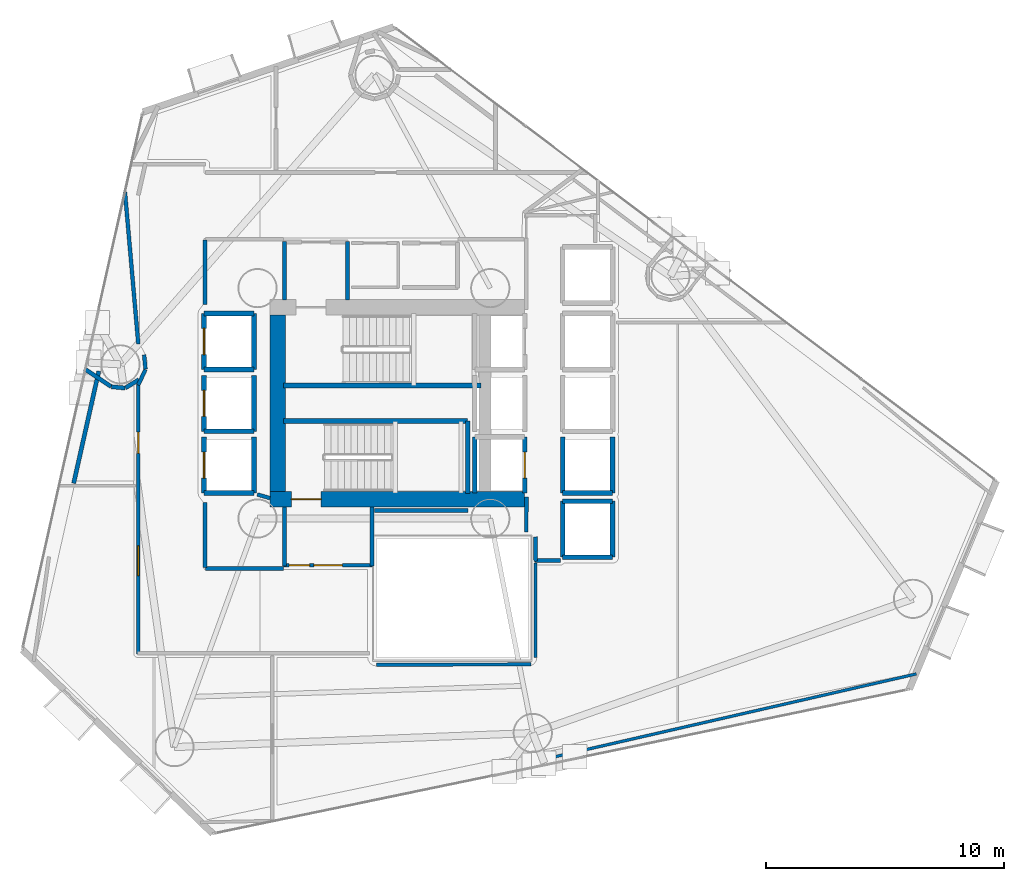
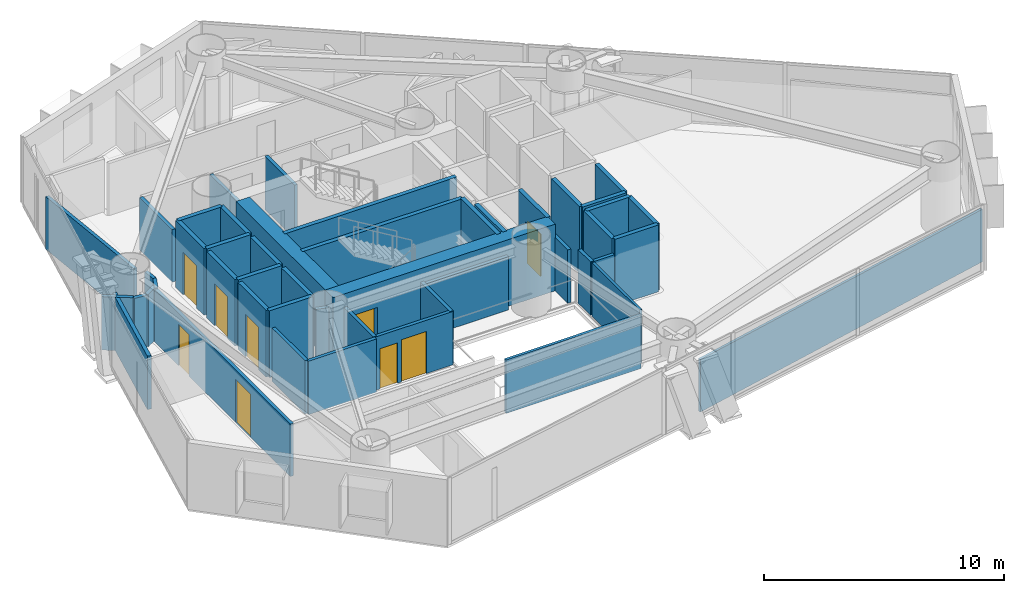
# One storey, part 16 of 22: 48 walls, 9 doors, 9 openings.
"""IFC4 building model written with IfcOpenShell, lengths in metres."""

from ifc_helpers import new_model, si_unit, direction, frame, frame_2d, origin, place, context, subcontext, project, spatial, rectangle, extrude, material, layer, layer_set, type_object, element, fill, save


model = new_model("IFC4")

# Units and contexts
model_context = context("Model", 3, precision=1e-05, world=origin(), true_north=direction((0.0, 1.0)))
body_context = subcontext(model_context, "Body", "Model", "MODEL_VIEW")
ifc_project = project(units=[si_unit("LENGTHUNIT", "METRE"), si_unit("AREAUNIT", "SQUARE_METRE"), si_unit("VOLUMEUNIT", "CUBIC_METRE"), si_unit("PLANEANGLEUNIT", "RADIAN"), si_unit("MASSUNIT", "GRAM", prefix="KILO")], contexts=[model_context])

# Site, building, storey
site_placement = place(None, origin())
site = spatial("IfcSite", under=ifc_project, at=site_placement, CompositionType="ELEMENT")
building_placement = place(site_placement, origin())
building = spatial("IfcBuilding", under=site, at=building_placement, Name="Qianvela Tower", CompositionType="ELEMENT")
storey_placement = place(building_placement, frame((0.0, 0.0, 89.5)))
storey = spatial("IfcBuildingStorey", under=building, at=storey_placement, Name="L22", CompositionType="ELEMENT", Elevation=89.5)

# Wall, opening, door
ifc_material_1 = material(Name="Concrete C60", Category="concrete")
ifc_layer_1 = layer(ifc_material_1, 0.64990234375)
ifc_layer_set_1 = layer_set([ifc_layer_1], Name="Concrete C60")
wall_type_1 = type_object("IfcWallType", Name="WT-CORE-650", PredefinedType="SHEAR", material=ifc_layer_set_1)
wall_1_placement = place(storey_placement, frame((29.1298828125, 24.655029296875, 0.0), z_axis=(0.0, 0.0, 1.0), x_axis=(1.0, 0.0, 0.0)))
wall_1 = element("IfcWall", 1, at=wall_1_placement, inside=storey, type_object=wall_type_1, Name="L22 South Core Shear Wall", PredefinedType="SHEAR", context=body_context, shape_type="SweptSolid", body=[
    extrude(rectangle(XDim=10.72021484375, YDim=0.64990234375, at=frame_2d((5.360107421875, 0.0))), origin(), (0.0, 0.0, 1.0), 3.39990234375),
])
opening_1_placement = place(wall_1_placement, frame((0.89501953125, 0.0, 0.0)))
opening_1 = element("IfcOpeningElement", 2, at=opening_1_placement, cuts=wall_1, Name="Opening D-ST1", PredefinedType="OPENING", context=body_context, shape_type="SweptSolid", body=[
    extrude(rectangle(XDim=1.25, YDim=2.14990234375, at=frame_2d((0.625, 1.074951171875))), frame((0.0, 0.3349609375, 0.0), z_axis=(0.0, -1.0, 0.0), x_axis=(1.0, 0.0, 0.0)), (0.0, 0.0, 1.0), 0.669921875),
])
ifc_material_2 = material(Name="Galvanised Fire Steel Q355B", Category="steel")
door_type_1 = type_object("IfcDoorType", Name="DT-STAIR-FD90", OperationType="NOTDEFINED", PredefinedType="DOOR", material=ifc_material_2)
door_1_placement = place(opening_1_placement, origin())
door_1 = element("IfcDoor", 3, at=door_1_placement, inside=storey, type_object=door_type_1, Name="L22 Stair ST-2 Exit Door", OperationType="SINGLE_SWING_RIGHT", OverallHeight=2.14990234375, OverallWidth=1.25, PredefinedType="DOOR", context=body_context, shape_type="SweptSolid", body=[
    extrude(rectangle(XDim=1.25, YDim=2.14990234375, at=frame_2d((0.625, 1.074951171875))), frame((0.0, 0.02490234375, 0.0), z_axis=(0.0, -1.0, 0.0), x_axis=(1.0, 0.0, 0.0)), (0.0, 0.0, 1.0), 0.050048828125),
])
fill(opening_1, door_1)

# Walls
wall_2_placement = place(storey_placement, frame((29.455078125, 24.97998046875, 0.0), z_axis=(0.0, 0.0, 1.0), x_axis=(0.0, 1.0, 0.0)))
element("IfcWall", 4, at=wall_2_placement, inside=storey, type_object=wall_type_1, Name="L22 West Core Shear Wall", PredefinedType="SHEAR", context=body_context, shape_type="SweptSolid", body=[
    extrude(rectangle(XDim=7.43994140625, YDim=0.64990234375, at=frame_2d((3.719970703125, 0.0))), origin(), (0.0, 0.0, 1.0), 3.39990234375),
])
ifc_material_3 = material(Name="Fire-Rated Gypsum and Concrete Block", Category="concrete")
ifc_layer_2 = layer(ifc_material_3, 0.159912109375)
ifc_layer_set_2 = layer_set([ifc_layer_2], Name="Fire-Rated Gypsum and Concrete Block")
wall_type_2 = type_object("IfcWallType", Name="WT-CORR-160", PredefinedType="PARTITIONING", material=ifc_layer_set_2)
for number, where, z_axis, x_axis, name in (
    (5, (29.73095703125, 33.05810546875, 0.0), (0.0, 0.0, 1.0), (0.0, 1.0, 0.0), "L22 Partition 2"),
    (6, (32.388916015625, 35.52001953125, 0.0), (0.0, 0.0, 1.0), (0.0, -1.0, 0.0), "L22 Partition 4"),
):
    element("IfcWall", number, at=place(storey_placement, frame(where, z_axis=z_axis, x_axis=x_axis)), inside=storey, type_object=wall_type_2, Name=name, PredefinedType="PARTITIONING", context=body_context, shape_type="SweptSolid", body=[
        extrude(rectangle(XDim=2.4619140625, YDim=0.159912109375, at=frame_2d((1.23095703125, 0.0))), origin(), (0.0, 0.0, 1.0), 2.719970703125),
    ])

# Wall, openings, doors
wall_3_placement = place(storey_placement, frame((33.449951171875, 21.881103515625, 0.0), z_axis=(0.0, 0.0, 1.0), x_axis=(-1.0, 0.0, 0.0)))
wall_3 = element("IfcWall", 7, at=wall_3_placement, inside=storey, type_object=wall_type_2, Name="L22 Partition 5", PredefinedType="PARTITIONING", context=body_context, shape_type="SweptSolid", body=[
    extrude(rectangle(XDim=3.75, YDim=0.159912109375, at=frame_2d((1.875, 0.0))), origin(), (0.0, 0.0, 1.0), 2.719970703125),
])
opening_2_placement = place(wall_3_placement, frame((1.27490234375, 0.0, 0.0)))
opening_2 = element("IfcOpeningElement", 8, at=opening_2_placement, cuts=wall_3, Name="Opening D-LB1", PredefinedType="OPENING", context=body_context, shape_type="SweptSolid", body=[
    extrude(rectangle(XDim=1.199951171875, YDim=2.14990234375, at=frame_2d((0.60009765625, 1.074951171875))), frame((0.0, 0.08984375, 0.0), z_axis=(0.0, -1.0, 0.0), x_axis=(1.0, 0.0, 0.0)), (0.0, 0.0, 1.0), 0.179931640625),
])
opening_3_placement = place(wall_3_placement, frame((2.659912109375, 0.0, 0.0)))
opening_3 = element("IfcOpeningElement", 9, at=opening_3_placement, cuts=wall_3, Name="Opening D-LB2", PredefinedType="OPENING", context=body_context, shape_type="SweptSolid", body=[
    extrude(rectangle(XDim=0.860107421875, YDim=2.050048828125, at=frame_2d((0.43017578125, 1.02490234375))), frame((0.0, 0.08984375, 0.0), z_axis=(0.0, -1.0, 0.0), x_axis=(1.0, 0.0, 0.0)), (0.0, 0.0, 1.0), 0.179931640625),
])
ifc_material_4 = material(Name="Glazed Fire-Rated Steel Frame", Category="steel")
door_type_2 = type_object("IfcDoorType", Name="DT-LOBBY-FD90", OperationType="NOTDEFINED", PredefinedType="DOOR", material=ifc_material_4)
door_2_placement = place(opening_2_placement, origin())
door_2 = element("IfcDoor", 10, at=door_2_placement, inside=storey, type_object=door_type_2, Name="L22 Door L22 Firefighting Lobby South to L22 Floor Corridor", OperationType="SINGLE_SWING_LEFT", OverallHeight=2.14990234375, OverallWidth=1.199951171875, PredefinedType="DOOR", context=body_context, shape_type="SweptSolid", body=[
    extrude(rectangle(XDim=1.199951171875, YDim=2.14990234375, at=frame_2d((0.60009765625, 1.074951171875))), frame((0.0, 0.02490234375, 0.0), z_axis=(0.0, -1.0, 0.0), x_axis=(1.0, 0.0, 0.0)), (0.0, 0.0, 1.0), 0.050048828125),
])
fill(opening_2, door_2)
ifc_material_5 = material(Name="Insulated Steel Fire Door Q355B", Category="steel")
door_type_3 = type_object("IfcDoorType", Name="DT-LOBBY-FD90-860", OperationType="NOTDEFINED", PredefinedType="DOOR", material=ifc_material_5)
door_3_placement = place(opening_3_placement, origin())
door_3 = element("IfcDoor", 11, at=door_3_placement, inside=storey, type_object=door_type_3, Name="L22 Door L22 Firefighting Lobby South to L22 Floor Corridor", OperationType="SINGLE_SWING_RIGHT", OverallHeight=2.050048828125, OverallWidth=0.860107421875, PredefinedType="DOOR", context=body_context, shape_type="SweptSolid", body=[
    extrude(rectangle(XDim=0.860107421875, YDim=2.050048828125, at=frame_2d((0.43017578125, 1.02490234375))), frame((0.0, 0.02490234375, 0.0), z_axis=(0.0, -1.0, 0.0), x_axis=(1.0, 0.0, 0.0)), (0.0, 0.0, 1.0), 0.050048828125),
])
fill(opening_3, door_3)

# Walls
for number, where, z_axis, x_axis, name in (
    (12, (29.73095703125, 21.85009765625, 0.0), (0.0, 0.0, 1.0), (0.0, 1.0, 0.0), "L22 Partition 6"),
    (13, (33.4189453125, 24.342041015625, 0.0), (0.0, 0.0, 1.0), (0.0, -1.0, 0.0), "L22 Partition 8"),
):
    element("IfcWall", number, at=place(storey_placement, frame(where, z_axis=z_axis, x_axis=x_axis)), inside=storey, type_object=wall_type_2, Name=name, PredefinedType="PARTITIONING", context=body_context, shape_type="SweptSolid", body=[
        extrude(rectangle(XDim=2.491943359375, YDim=0.159912109375, at=frame_2d((1.24609375, 0.0))), origin(), (0.0, 0.0, 1.0), 2.719970703125),
    ])
wall_4_placement = place(storey_placement, frame((41.360107421875, 22.0810546875, 0.0), z_axis=(0.0, 0.0, 1.0), x_axis=(-1.0, 0.0, 0.0)))
element("IfcWall", 14, at=wall_4_placement, inside=storey, type_object=wall_type_2, Name="L22 Partition 15", PredefinedType="PARTITIONING", context=body_context, shape_type="SweptSolid", body=[
    extrude(rectangle(XDim=1.080078125, YDim=0.159912109375, at=frame_2d((0.5400390625, 0.0))), origin(), (0.0, 0.0, 1.0), 2.719970703125),
])
wall_5_placement = place(storey_placement, frame((40.31103515625, 22.05029296875, 0.0), z_axis=(0.0, 0.0, 1.0), x_axis=(-0.011836292006, 0.999929948642, 0.0)))
element("IfcWall", 15, at=wall_5_placement, inside=storey, type_object=wall_type_2, Name="L22 Partition 16", PredefinedType="PARTITIONING", context=body_context, shape_type="SweptSolid", body=[
    extrude(rectangle(XDim=1.03125, YDim=0.159912109375, at=frame_2d((0.515625, 0.0))), origin(), (0.0, 0.0, 1.0), 2.719970703125),
])
wall_6_placement = place(storey_placement, frame((39.910888671875, 23.27978515625, 0.0), z_axis=(0.0, 0.0, 1.0), x_axis=(0.009397771291, 0.999955839972, 0.0)))
element("IfcWall", 16, at=wall_6_placement, inside=storey, type_object=wall_type_2, Name="L22 Partition 17", PredefinedType="PARTITIONING", context=body_context, shape_type="SweptSolid", body=[
    extrude(rectangle(XDim=1.480712890625, YDim=0.159912109375, at=frame_2d((0.740234375, 0.0))), origin(), (0.0, 0.0, 1.0), 2.719970703125),
])
wall_7_placement = place(storey_placement, frame((29.1298828125, 24.706298828125, 0.0), z_axis=(0.0, 0.0, 1.0), x_axis=(-0.960451214223, 0.278448316742, 0.0)))
element("IfcWall", 17, at=wall_7_placement, inside=storey, type_object=wall_type_2, Name="L22 Partition 31", PredefinedType="PARTITIONING", context=body_context, shape_type="SweptSolid", body=[
    extrude(rectangle(XDim=0.56201171875, YDim=0.159912109375, at=frame_2d((0.281005859375, 0.0))), origin(), (0.0, 0.0, 1.0), 2.719970703125),
])
wall_8_placement = place(storey_placement, frame((37.466552734375, 24.180908203125, 0.0), z_axis=(0.0, 0.0, 1.0), x_axis=(-1.0, 0.0, 0.0)))
element("IfcWall", 18, at=wall_8_placement, inside=storey, type_object=wall_type_2, Name="L22 Partition 38", PredefinedType="PARTITIONING", context=body_context, shape_type="SweptSolid", body=[
    extrude(rectangle(XDim=3.9365234375, YDim=0.159912109375, at=frame_2d((1.96826171875, 0.0))), origin(), (0.0, 0.0, 1.0), 2.719970703125),
])
wall_9_placement = place(storey_placement, frame((23.5810546875, 31.197265625, 0.0), z_axis=(0.0, 0.0, 1.0), x_axis=(-0.087369191834, 0.996176000674, 0.0)))
element("IfcWall", 19, at=wall_9_placement, inside=storey, type_object=wall_type_2, Name="L22 Partition 39", PredefinedType="PARTITIONING", context=body_context, shape_type="SweptSolid", body=[
    extrude(rectangle(XDim=6.42431640625, YDim=0.159912109375, at=frame_2d((3.212158203125, 0.0))), origin(), (0.0, 0.0, 1.0), 2.677978515625),
])
wall_10_placement = place(storey_placement, frame((26.388916015625, 35.580078125, 0.0), z_axis=(0.0, 0.0, 1.0), x_axis=(0.0, -1.0, 0.0)))
element("IfcWall", 20, at=wall_10_placement, inside=storey, type_object=wall_type_2, Name="L22 Partition 46", PredefinedType="PARTITIONING", context=body_context, shape_type="SweptSolid", body=[
    extrude(rectangle(XDim=2.71044921875, YDim=0.159912109375, at=frame_2d((1.355224609375, 0.0))), origin(), (0.0, 0.0, 1.0), 2.677978515625),
])
wall_11_placement = place(storey_placement, frame((26.388916015625, 24.530517578125, 0.0), z_axis=(0.0, 0.0, 1.0), x_axis=(0.0, -1.0, 0.0)))
element("IfcWall", 21, at=wall_11_placement, inside=storey, type_object=wall_type_2, Name="L22 Partition 48", PredefinedType="PARTITIONING", context=body_context, shape_type="SweptSolid", body=[
    extrude(rectangle(XDim=2.75048828125, YDim=0.159912109375, at=frame_2d((1.375244140625, 0.0))), origin(), (0.0, 0.0, 1.0), 2.719970703125),
])
wall_12_placement = place(storey_placement, frame((26.419921875, 21.7490234375, 0.0), z_axis=(0.0, 0.0, 1.0), x_axis=(1.0, 0.0, 0.0)))
element("IfcWall", 22, at=wall_12_placement, inside=storey, type_object=wall_type_2, Name="L22 Partition 49 seg 1", PredefinedType="PARTITIONING", context=body_context, shape_type="SweptSolid", body=[
    extrude(rectangle(XDim=3.280029296875, YDim=0.159912109375, at=frame_2d((1.64013671875, 0.0))), origin(), (0.0, 0.0, 1.0), 2.719970703125),
])

# Wall, openings, doors
wall_13_placement = place(storey_placement, frame((23.5810546875, 18.14990234375, 0.0), z_axis=(0.0, 0.0, 1.0), x_axis=(0.0, 1.0, 0.0)))
wall_13 = element("IfcWall", 23, at=wall_13_placement, inside=storey, type_object=wall_type_2, Name="L22 Partition 51", PredefinedType="PARTITIONING", context=body_context, shape_type="SweptSolid", body=[
    extrude(rectangle(XDim=11.3330078125, YDim=0.159912109375, at=frame_2d((5.66650390625, 0.0))), origin(), (0.0, 0.0, 1.0), 2.677978515625),
])
opening_4_placement = place(wall_13_placement, frame((3.29931640625, 0.0, 0.0)))
opening_4 = element("IfcOpeningElement", 24, at=opening_4_placement, cuts=wall_13, Name="Opening D-LG1", PredefinedType="OPENING", context=body_context, shape_type="SweptSolid", body=[
    extrude(rectangle(XDim=1.25, YDim=2.199951171875, at=frame_2d((0.625, 1.10009765625))), frame((0.0, 0.08984375, 0.0), z_axis=(0.0, -1.0, 0.0), x_axis=(1.0, 0.0, 0.0)), (0.0, 0.0, 1.0), 0.179931640625),
])
opening_5_placement = place(wall_13_placement, frame((8.44189453125, 0.0, 0.0)))
opening_5 = element("IfcOpeningElement", 25, at=opening_5_placement, cuts=wall_13, Name="Opening D-KT1", PredefinedType="OPENING", context=body_context, shape_type="SweptSolid", body=[
    extrude(rectangle(XDim=0.89990234375, YDim=2.10009765625, at=frame_2d((0.449951171875, 1.050048828125))), frame((0.0, 0.08984375, 0.0), z_axis=(0.0, -1.0, 0.0), x_axis=(1.0, 0.0, 0.0)), (0.0, 0.0, 1.0), 0.179931640625),
])
ifc_material_6 = material(Name="Glazed Timber Kitchen Door", Category="wood")
door_type_4 = type_object("IfcDoorType", Name="DT-KITCH-900", OperationType="NOTDEFINED", PredefinedType="DOOR", material=ifc_material_6)
door_4_placement = place(opening_5_placement, origin())
door_4 = element("IfcDoor", 26, at=door_4_placement, inside=storey, type_object=door_type_4, Name="L22 Door Social Galley Kitchen L22-06 to L22 Floor Corridor", OperationType="SINGLE_SWING_LEFT", OverallHeight=2.10009765625, OverallWidth=0.89990234375, PredefinedType="DOOR", context=body_context, shape_type="SweptSolid", body=[
    extrude(rectangle(XDim=0.89990234375, YDim=2.10009765625, at=frame_2d((0.449951171875, 1.050048828125))), frame((0.0, 0.02490234375, 0.0), z_axis=(0.0, -1.0, 0.0), x_axis=(1.0, 0.0, 0.0)), (0.0, 0.0, 1.0), 0.050048828125),
])
fill(opening_5, door_4)
ifc_material_7 = material(Name="Anodised Aluminium Acoustic Glass Door", Category="aluminium")
door_type_5 = type_object("IfcDoorType", Name="DT-LOUNGE-1250", OperationType="NOTDEFINED", PredefinedType="DOOR", material=ifc_material_7)
door_5_placement = place(opening_4_placement, origin())
door_5 = element("IfcDoor", 27, at=door_5_placement, inside=storey, type_object=door_type_5, Name="L22 Door Quiet Desk Workspace L22-01 to L22 Floor Corridor", OperationType="SINGLE_SWING_LEFT", OverallHeight=2.199951171875, OverallWidth=1.25, PredefinedType="DOOR", context=body_context, shape_type="SweptSolid", body=[
    extrude(rectangle(XDim=1.25, YDim=2.199951171875, at=frame_2d((0.625, 1.10009765625))), frame((0.0, 0.02490234375, 0.0), z_axis=(0.0, -1.0, 0.0), x_axis=(1.0, 0.0, 0.0)), (0.0, 0.0, 1.0), 0.050048828125),
])
fill(opening_4, door_5)

# Walls
wall_14_placement = place(storey_placement, frame((23.578125, 29.4697265625, 0.0), z_axis=(0.0, 0.0, 1.0), x_axis=(0.421827918194, 0.906675910914, 0.0)))
element("IfcWall", 28, at=wall_14_placement, inside=storey, type_object=wall_type_2, Name="L22 Partition 52", PredefinedType="PARTITIONING", context=body_context, shape_type="SweptSolid", body=[
    extrude(rectangle(XDim=0.720458984375, YDim=0.159912109375, at=frame_2d((0.3603515625, 0.0))), origin(), (0.0, 0.0, 1.0), 2.719970703125),
])
wall_15_placement = place(storey_placement, frame((23.884765625, 30.13916015625, 0.0), z_axis=(0.0, 0.0, 1.0), x_axis=(-0.0981888168, 0.995167803064, 0.0)))
element("IfcWall", 29, at=wall_15_placement, inside=storey, type_object=wall_type_2, Name="L22 Partition 53", PredefinedType="PARTITIONING", context=body_context, shape_type="SweptSolid", body=[
    extrude(rectangle(XDim=0.606689453125, YDim=0.159912109375, at=frame_2d((0.30322265625, 0.0))), origin(), (0.0, 0.0, 1.0), 2.719970703125),
])
ifc_material_8 = material(Name="Insulated Gypsum Stud Partition")
ifc_layer_3 = layer(ifc_material_8, 0.1201171875)
ifc_layer_set_3 = layer_set([ifc_layer_3], Name="Insulated Gypsum Stud Partition")
wall_type_3 = type_object("IfcWallType", Name="WT-PART-120", PredefinedType="PARTITIONING", material=ifc_layer_set_3)
wall_16_placement = place(storey_placement, frame((40.31103515625, 18.0, 0.0), z_axis=(0.0, 0.0, 1.0), x_axis=(0.0, 1.0, 0.0)))
element("IfcWall", 30, at=wall_16_placement, inside=storey, type_object=wall_type_3, Name="L22 Partition 62 seg 1", PredefinedType="PARTITIONING", context=body_context, shape_type="SweptSolid", body=[
    extrude(rectangle(XDim=3.969970703125, YDim=0.1201171875, at=frame_2d((1.98486328125, 0.0))), origin(), (0.0, 0.0, 1.0), 2.719970703125),
])
wall_17_placement = place(storey_placement, frame((56.337158203125, 17.306396484375, 0.0), z_axis=(0.0, 0.0, 1.0), x_axis=(-0.974726948911, -0.223399586095, 0.0)))
element("IfcWall", 31, at=wall_17_placement, inside=storey, type_object=wall_type_3, Name="L22 Partition 71 seg 1", PredefinedType="PARTITIONING", context=body_context, shape_type="SweptSolid", body=[
    extrude(rectangle(XDim=16.087646484375, YDim=0.1201171875, at=frame_2d((8.0439453125, 0.0))), origin(), (0.0, 0.0, 1.0), 2.677978515625),
])
ifc_material_9 = material(Name="Moisture-Resistant Acoustic Plumbing Wall")
ifc_layer_4 = layer(ifc_material_9, 0.175048828125)
ifc_layer_set_4 = layer_set([ifc_layer_4], Name="Moisture-Resistant Acoustic Plumbing Wall")
wall_type_4 = type_object("IfcWallType", Name="WT-PLUMB-175", PredefinedType="PLUMBINGWALL", material=ifc_layer_set_4)
wall_18_placement = place(storey_placement, frame((20.860107421875, 25.335205078125, 0.0), z_axis=(0.0, 0.0, 1.0), x_axis=(0.218848140049, 0.975758931088, 0.0)))
element("IfcWall", 32, at=wall_18_placement, inside=storey, type_object=wall_type_4, Name="L22 Partition 117", PredefinedType="PLUMBINGWALL", context=body_context, shape_type="SweptSolid", body=[
    extrude(rectangle(XDim=4.838134765625, YDim=0.175048828125, at=frame_2d((2.4189453125, 0.0))), origin(), (0.0, 0.0, 1.0), 2.719970703125),
])
wall_19_placement = place(storey_placement, frame((21.3291015625, 30.143310546875, 0.0), z_axis=(0.0, 0.0, 1.0), x_axis=(0.831400159378, -0.555674162605, 0.0)))
element("IfcWall", 33, at=wall_19_placement, inside=storey, type_object=wall_type_4, Name="L22 Partition 119", PredefinedType="PLUMBINGWALL", context=body_context, shape_type="SweptSolid", body=[
    extrude(rectangle(XDim=1.329833984375, YDim=0.175048828125, at=frame_2d((0.6650390625, 0.0))), origin(), (0.0, 0.0, 1.0), 2.719970703125),
])
wall_20_placement = place(storey_placement, frame((22.448974609375, 29.399169921875, 0.0), z_axis=(0.0, 0.0, 1.0), x_axis=(0.995167364461, -0.098193262045, 0.0)))
element("IfcWall", 34, at=wall_20_placement, inside=storey, type_object=wall_type_4, Name="L22 Partition 120", PredefinedType="PLUMBINGWALL", context=body_context, shape_type="SweptSolid", body=[
    extrude(rectangle(XDim=0.57177734375, YDim=0.175048828125, at=frame_2d((0.285888671875, 0.0))), origin(), (0.0, 0.0, 1.0), 2.677978515625),
])
wall_21_placement = place(storey_placement, frame((23.037353515625, 29.347412109375, 0.0), z_axis=(0.0, 0.0, 1.0), x_axis=(0.852045812822, 0.523467222328, 0.0)))
element("IfcWall", 35, at=wall_21_placement, inside=storey, type_object=wall_type_4, Name="L22 Partition 121", PredefinedType="PLUMBINGWALL", context=body_context, shape_type="SweptSolid", body=[
    extrude(rectangle(XDim=0.670166015625, YDim=0.175048828125, at=frame_2d((0.3349609375, 0.0))), origin(), (0.0, 0.0, 1.0), 2.677978515625),
])
ifc_material_10 = material(Name="Acoustic Double Gypsum Stud Partition")
ifc_layer_5 = layer(ifc_material_10, 0.139892578125)
ifc_layer_set_5 = layer_set([ifc_layer_5], Name="Acoustic Double Gypsum Stud Partition")
wall_type_5 = type_object("IfcWallType", Name="WT-ROOM-140", PredefinedType="PARTITIONING", material=ifc_layer_set_5)
wall_22_placement = place(storey_placement, frame((33.60009765625, 17.68896484375, 0.0), z_axis=(0.0, 0.0, 1.0), x_axis=(0.99999467303, 0.003264033036, 0.0)))
element("IfcWall", 36, at=wall_22_placement, inside=storey, type_object=wall_type_5, Name="L22 Partition 61", PredefinedType="PARTITIONING", context=body_context, shape_type="SweptSolid", body=[
    extrude(rectangle(XDim=6.50732421875, YDim=0.139892578125, at=frame_2d((3.253662109375, 0.0))), origin(), (0.0, 0.0, 1.0), 2.719970703125),
])
ifc_material_11 = material(Name="Concrete C50", Category="concrete")
ifc_layer_6 = layer(ifc_material_11, 0.199951171875)
ifc_layer_set_6 = layer_set([ifc_layer_6], Name="Concrete C50")
wall_type_6 = type_object("IfcWallType", Name="WT-SHAFT-200", PredefinedType="SOLIDWALL", material=ifc_layer_set_6)
wall_23_placement = place(storey_placement, frame((29.699951171875, 29.449951171875, 0.0), z_axis=(0.0, 0.0, 1.0), x_axis=(1.0, 0.0, 0.0)))
element("IfcWall", 37, at=wall_23_placement, inside=storey, type_object=wall_type_6, Name="L22 Stair ST-1 South Wall", PredefinedType="SOLIDWALL", context=body_context, shape_type="SweptSolid", body=[
    extrude(rectangle(XDim=8.300048828125, YDim=0.199951171875, at=frame_2d((4.14990234375, 0.0))), origin(), (0.0, 0.0, 1.0), 3.39990234375),
])
wall_24_placement = place(storey_placement, frame((29.699951171875, 27.9599609375, 0.0), z_axis=(0.0, 0.0, 1.0), x_axis=(1.0, 0.0, 0.0)))
element("IfcWall", 38, at=wall_24_placement, inside=storey, type_object=wall_type_6, Name="L22 Stair ST-2 North Wall", PredefinedType="SOLIDWALL", context=body_context, shape_type="SweptSolid", body=[
    extrude(rectangle(XDim=7.75, YDim=0.199951171875, at=frame_2d((3.875, 0.0))), origin(), (0.0, 0.0, 1.0), 3.39990234375),
])
wall_25_placement = place(storey_placement, frame((37.449951171875, 24.89990234375, 0.0), z_axis=(0.0, 0.0, 1.0), x_axis=(0.0, 1.0, 0.0)))
element("IfcWall", 39, at=wall_25_placement, inside=storey, type_object=wall_type_6, Name="L22 Stair ST-2 East Wall", PredefinedType="SOLIDWALL", context=body_context, shape_type="SweptSolid", body=[
    extrude(rectangle(XDim=3.06005859375, YDim=0.199951171875, at=frame_2d((1.530029296875, 0.0))), origin(), (0.0, 0.0, 1.0), 3.39990234375),
])

# Wall, opening, door
wall_26_placement = place(storey_placement, frame((39.85009765625, 24.919921875, 0.0), z_axis=(0.0, 0.0, 1.0), x_axis=(0.0, 1.0, 0.0)))
wall_26 = element("IfcWall", 40, at=wall_26_placement, inside=storey, type_object=wall_type_6, Name="L22 Lift FL-2 E Shaft Wall", PredefinedType="SOLIDWALL", context=body_context, shape_type="SweptSolid", body=[
    extrude(rectangle(XDim=2.360107421875, YDim=0.199951171875, at=frame_2d((1.18017578125, 0.0))), origin(), (0.0, 0.0, 1.0), 3.39990234375),
])
opening_6_placement = place(wall_26_placement, frame((0.6298828125, 0.0, 0.0)))
opening_6 = element("IfcOpeningElement", 41, at=opening_6_placement, cuts=wall_26, Name="Opening LD-01", PredefinedType="OPENING", context=body_context, shape_type="SweptSolid", body=[
    extrude(rectangle(XDim=1.10009765625, YDim=2.14990234375, at=frame_2d((0.550048828125, 1.074951171875))), frame((0.0, 0.10986328125, 0.0), z_axis=(0.0, -1.0, 0.0), x_axis=(1.0, 0.0, 0.0)), (0.0, 0.0, 1.0), 0.219970703125),
])
ifc_material_12 = material(Name="Brushed Stainless Steel Lift Landing Door", Category="steel")
door_type_6 = type_object("IfcDoorType", Name="DT-LIFT-SLIDE-1100", OperationType="SLIDING_TO_LEFT", PredefinedType="DOOR", material=ifc_material_12)
door_6_placement = place(opening_6_placement, origin())
door_6 = element("IfcDoor", 42, at=door_6_placement, inside=storey, type_object=door_type_6, Name="L22 Lift FL-2 Sliding Landing Door", OperationType="SLIDING_TO_LEFT", OverallHeight=2.14990234375, OverallWidth=1.10009765625, PredefinedType="DOOR", context=body_context, shape_type="SweptSolid", body=[
    extrude(rectangle(XDim=1.10009765625, YDim=2.14990234375, at=frame_2d((0.550048828125, 1.074951171875))), frame((0.0, 0.02490234375, 0.0), z_axis=(0.0, -1.0, 0.0), x_axis=(1.0, 0.0, 0.0)), (0.0, 0.0, 1.0), 0.050048828125),
])
fill(opening_6, door_6)

# Walls
wall_27_placement = place(storey_placement, frame((37.75, 24.919921875, 0.0), z_axis=(0.0, 0.0, 1.0), x_axis=(0.0, 1.0, 0.0)))
element("IfcWall", 43, at=wall_27_placement, inside=storey, type_object=wall_type_6, Name="L22 Lift FL-2 W Shaft Wall", PredefinedType="SOLIDWALL", context=body_context, shape_type="SweptSolid", body=[
    extrude(rectangle(XDim=2.360107421875, YDim=0.199951171875, at=frame_2d((1.18017578125, 0.0))), origin(), (0.0, 0.0, 1.0), 3.39990234375),
])
wall_28_placement = place(storey_placement, frame((28.449951171875, 30.1201171875, 0.0), z_axis=(0.0, 0.0, 1.0), x_axis=(0.0, 1.0, 0.0)))
element("IfcWall", 44, at=wall_28_placement, inside=storey, type_object=wall_type_6, Name="L22 Lift PL-L1 E Shaft Wall", PredefinedType="SOLIDWALL", context=body_context, shape_type="SweptSolid", body=[
    extrude(rectangle(XDim=2.35986328125, YDim=0.199951171875, at=frame_2d((1.179931640625, 0.0))), origin(), (0.0, 0.0, 1.0), 3.39990234375),
])

# Wall, opening, door
wall_29_placement = place(storey_placement, frame((26.35009765625, 30.1201171875, 0.0), z_axis=(0.0, 0.0, 1.0), x_axis=(0.0, 1.0, 0.0)))
wall_29 = element("IfcWall", 45, at=wall_29_placement, inside=storey, type_object=wall_type_6, Name="L22 Lift PL-L1 W Shaft Wall", PredefinedType="SOLIDWALL", context=body_context, shape_type="SweptSolid", body=[
    extrude(rectangle(XDim=2.35986328125, YDim=0.199951171875, at=frame_2d((1.179931640625, 0.0))), origin(), (0.0, 0.0, 1.0), 3.39990234375),
])
opening_7_placement = place(wall_29_placement, frame((0.6298828125, 0.0, 0.0)))
opening_7 = element("IfcOpeningElement", 46, at=opening_7_placement, cuts=wall_29, Name="Opening LD-01", PredefinedType="OPENING", context=body_context, shape_type="SweptSolid", body=[
    extrude(rectangle(XDim=1.10009765625, YDim=2.14990234375, at=frame_2d((0.550048828125, 1.074951171875))), frame((0.0, 0.10986328125, 0.0), z_axis=(0.0, -1.0, 0.0), x_axis=(1.0, 0.0, 0.0)), (0.0, 0.0, 1.0), 0.219970703125),
])
door_7_placement = place(opening_7_placement, origin())
door_7 = element("IfcDoor", 47, at=door_7_placement, inside=storey, type_object=door_type_6, Name="L22 Lift PL-L1 Sliding Landing Door", OperationType="SLIDING_TO_LEFT", OverallHeight=2.14990234375, OverallWidth=1.10009765625, PredefinedType="DOOR", context=body_context, shape_type="SweptSolid", body=[
    extrude(rectangle(XDim=1.10009765625, YDim=2.14990234375, at=frame_2d((0.550048828125, 1.074951171875))), frame((0.0, 0.02490234375, 0.0), z_axis=(0.0, -1.0, 0.0), x_axis=(1.0, 0.0, 0.0)), (0.0, 0.0, 1.0), 0.050048828125),
])
fill(opening_7, door_7)

# Walls
for number, where, z_axis, x_axis, name in (
    (48, (26.35009765625, 32.47998046875, 0.0), (0.0, 0.0, 1.0), (1.0, 0.0, 0.0), "L22 Lift PL-L1 N Shaft Wall"),
    (49, (26.35009765625, 30.1201171875, 0.0), (0.0, 0.0, 1.0), (1.0, 0.0, 0.0), "L22 Lift PL-L1 S Shaft Wall"),
):
    element("IfcWall", number, at=place(storey_placement, frame(where, z_axis=z_axis, x_axis=x_axis)), inside=storey, type_object=wall_type_6, Name=name, PredefinedType="SOLIDWALL", context=body_context, shape_type="SweptSolid", body=[
        extrude(rectangle(XDim=2.099853515625, YDim=0.199951171875, at=frame_2d((1.0498046875, 0.0))), origin(), (0.0, 0.0, 1.0), 3.39990234375),
    ])
wall_30_placement = place(storey_placement, frame((28.449951171875, 27.52001953125, 0.0), z_axis=(0.0, 0.0, 1.0), x_axis=(0.0, 1.0, 0.0)))
element("IfcWall", 50, at=wall_30_placement, inside=storey, type_object=wall_type_6, Name="L22 Lift PL-L2 E Shaft Wall", PredefinedType="SOLIDWALL", context=body_context, shape_type="SweptSolid", body=[
    extrude(rectangle(XDim=2.35986328125, YDim=0.199951171875, at=frame_2d((1.179931640625, 0.0))), origin(), (0.0, 0.0, 1.0), 3.39990234375),
])

# Wall, opening, door
wall_31_placement = place(storey_placement, frame((26.35009765625, 27.52001953125, 0.0), z_axis=(0.0, 0.0, 1.0), x_axis=(0.0, 1.0, 0.0)))
wall_31 = element("IfcWall", 51, at=wall_31_placement, inside=storey, type_object=wall_type_6, Name="L22 Lift PL-L2 W Shaft Wall", PredefinedType="SOLIDWALL", context=body_context, shape_type="SweptSolid", body=[
    extrude(rectangle(XDim=2.35986328125, YDim=0.199951171875, at=frame_2d((1.179931640625, 0.0))), origin(), (0.0, 0.0, 1.0), 3.39990234375),
])
opening_8_placement = place(wall_31_placement, frame((0.6298828125, 0.0, 0.0)))
opening_8 = element("IfcOpeningElement", 52, at=opening_8_placement, cuts=wall_31, Name="Opening LD-01", PredefinedType="OPENING", context=body_context, shape_type="SweptSolid", body=[
    extrude(rectangle(XDim=1.10009765625, YDim=2.14990234375, at=frame_2d((0.550048828125, 1.074951171875))), frame((0.0, 0.10986328125, 0.0), z_axis=(0.0, -1.0, 0.0), x_axis=(1.0, 0.0, 0.0)), (0.0, 0.0, 1.0), 0.219970703125),
])
door_8_placement = place(opening_8_placement, origin())
door_8 = element("IfcDoor", 53, at=door_8_placement, inside=storey, type_object=door_type_6, Name="L22 Lift PL-L2 Sliding Landing Door", OperationType="SLIDING_TO_LEFT", OverallHeight=2.14990234375, OverallWidth=1.10009765625, PredefinedType="DOOR", context=body_context, shape_type="SweptSolid", body=[
    extrude(rectangle(XDim=1.10009765625, YDim=2.14990234375, at=frame_2d((0.550048828125, 1.074951171875))), frame((0.0, 0.02490234375, 0.0), z_axis=(0.0, -1.0, 0.0), x_axis=(1.0, 0.0, 0.0)), (0.0, 0.0, 1.0), 0.050048828125),
])
fill(opening_8, door_8)

# Walls
wall_32_placement = place(storey_placement, frame((26.35009765625, 27.52001953125, 0.0), z_axis=(0.0, 0.0, 1.0), x_axis=(1.0, 0.0, 0.0)))
element("IfcWall", 54, at=wall_32_placement, inside=storey, type_object=wall_type_6, Name="L22 Lift PL-L2 S Shaft Wall", PredefinedType="SOLIDWALL", context=body_context, shape_type="SweptSolid", body=[
    extrude(rectangle(XDim=2.099853515625, YDim=0.199951171875, at=frame_2d((1.0498046875, 0.0))), origin(), (0.0, 0.0, 1.0), 3.39990234375),
])
wall_33_placement = place(storey_placement, frame((28.449951171875, 24.919921875, 0.0), z_axis=(0.0, 0.0, 1.0), x_axis=(0.0, 1.0, 0.0)))
element("IfcWall", 55, at=wall_33_placement, inside=storey, type_object=wall_type_6, Name="L22 Lift PL-L3 E Shaft Wall", PredefinedType="SOLIDWALL", context=body_context, shape_type="SweptSolid", body=[
    extrude(rectangle(XDim=2.360107421875, YDim=0.199951171875, at=frame_2d((1.18017578125, 0.0))), origin(), (0.0, 0.0, 1.0), 3.39990234375),
])

# Wall, opening, door
wall_34_placement = place(storey_placement, frame((26.35009765625, 24.919921875, 0.0), z_axis=(0.0, 0.0, 1.0), x_axis=(0.0, 1.0, 0.0)))
wall_34 = element("IfcWall", 56, at=wall_34_placement, inside=storey, type_object=wall_type_6, Name="L22 Lift PL-L3 W Shaft Wall", PredefinedType="SOLIDWALL", context=body_context, shape_type="SweptSolid", body=[
    extrude(rectangle(XDim=2.360107421875, YDim=0.199951171875, at=frame_2d((1.18017578125, 0.0))), origin(), (0.0, 0.0, 1.0), 3.39990234375),
])
opening_9_placement = place(wall_34_placement, frame((0.6298828125, 0.0, 0.0)))
opening_9 = element("IfcOpeningElement", 57, at=opening_9_placement, cuts=wall_34, Name="Opening LD-01", PredefinedType="OPENING", context=body_context, shape_type="SweptSolid", body=[
    extrude(rectangle(XDim=1.10009765625, YDim=2.14990234375, at=frame_2d((0.550048828125, 1.074951171875))), frame((0.0, 0.10986328125, 0.0), z_axis=(0.0, -1.0, 0.0), x_axis=(1.0, 0.0, 0.0)), (0.0, 0.0, 1.0), 0.219970703125),
])
door_9_placement = place(opening_9_placement, origin())
door_9 = element("IfcDoor", 58, at=door_9_placement, inside=storey, type_object=door_type_6, Name="L22 Lift PL-L3 Sliding Landing Door", OperationType="SLIDING_TO_LEFT", OverallHeight=2.14990234375, OverallWidth=1.10009765625, PredefinedType="DOOR", context=body_context, shape_type="SweptSolid", body=[
    extrude(rectangle(XDim=1.10009765625, YDim=2.14990234375, at=frame_2d((0.550048828125, 1.074951171875))), frame((0.0, 0.02490234375, 0.0), z_axis=(0.0, -1.0, 0.0), x_axis=(1.0, 0.0, 0.0)), (0.0, 0.0, 1.0), 0.050048828125),
])
fill(opening_9, door_9)

# Walls
wall_35_placement = place(storey_placement, frame((26.35009765625, 24.919921875, 0.0), z_axis=(0.0, 0.0, 1.0), x_axis=(1.0, 0.0, 0.0)))
element("IfcWall", 59, at=wall_35_placement, inside=storey, type_object=wall_type_6, Name="L22 Lift PL-L3 S Shaft Wall", PredefinedType="SOLIDWALL", context=body_context, shape_type="SweptSolid", body=[
    extrude(rectangle(XDim=2.099853515625, YDim=0.199951171875, at=frame_2d((1.0498046875, 0.0))), origin(), (0.0, 0.0, 1.0), 3.39990234375),
])
for number, where, z_axis, x_axis, name in (
    (60, (43.550048828125, 24.919921875, 0.0), (0.0, 0.0, 1.0), (0.0, 1.0, 0.0), "L22 Lift PL-M3 E Shaft Wall"),
    (61, (41.449951171875, 24.919921875, 0.0), (0.0, 0.0, 1.0), (0.0, 1.0, 0.0), "L22 Lift PL-M3 W Shaft Wall"),
):
    element("IfcWall", number, at=place(storey_placement, frame(where, z_axis=z_axis, x_axis=x_axis)), inside=storey, type_object=wall_type_6, Name=name, PredefinedType="SOLIDWALL", context=body_context, shape_type="SweptSolid", body=[
        extrude(rectangle(XDim=2.360107421875, YDim=0.199951171875, at=frame_2d((1.18017578125, 0.0))), origin(), (0.0, 0.0, 1.0), 3.39990234375),
    ])
wall_36_placement = place(storey_placement, frame((41.449951171875, 24.919921875, 0.0), z_axis=(0.0, 0.0, 1.0), x_axis=(1.0, 0.0, 0.0)))
element("IfcWall", 62, at=wall_36_placement, inside=storey, type_object=wall_type_6, Name="L22 Lift PL-M3 S Shaft Wall", PredefinedType="SOLIDWALL", context=body_context, shape_type="SweptSolid", body=[
    extrude(rectangle(XDim=2.10009765625, YDim=0.199951171875, at=frame_2d((1.050048828125, 0.0))), origin(), (0.0, 0.0, 1.0), 3.39990234375),
])
for number, where, z_axis, x_axis, name in (
    (63, (43.550048828125, 22.219970703125, 0.0), (0.0, 0.0, 1.0), (0.0, 1.0, 0.0), "L22 Lift PL-H2 E Shaft Wall"),
    (64, (41.449951171875, 22.219970703125, 0.0), (0.0, 0.0, 1.0), (0.0, 1.0, 0.0), "L22 Lift PL-H2 W Shaft Wall"),
):
    element("IfcWall", number, at=place(storey_placement, frame(where, z_axis=z_axis, x_axis=x_axis)), inside=storey, type_object=wall_type_6, Name=name, PredefinedType="SOLIDWALL", context=body_context, shape_type="SweptSolid", body=[
        extrude(rectangle(XDim=2.360107421875, YDim=0.199951171875, at=frame_2d((1.18017578125, 0.0))), origin(), (0.0, 0.0, 1.0), 3.39990234375),
    ])
for number, where, z_axis, x_axis, name in (
    (65, (41.449951171875, 24.580078125, 0.0), (0.0, 0.0, 1.0), (1.0, 0.0, 0.0), "L22 Lift PL-H2 N Shaft Wall"),
    (66, (41.449951171875, 22.219970703125, 0.0), (0.0, 0.0, 1.0), (1.0, 0.0, 0.0), "L22 Lift PL-H2 S Shaft Wall"),
):
    element("IfcWall", number, at=place(storey_placement, frame(where, z_axis=z_axis, x_axis=x_axis)), inside=storey, type_object=wall_type_6, Name=name, PredefinedType="SOLIDWALL", context=body_context, shape_type="SweptSolid", body=[
        extrude(rectangle(XDim=2.10009765625, YDim=0.199951171875, at=frame_2d((1.050048828125, 0.0))), origin(), (0.0, 0.0, 1.0), 3.39990234375),
    ])

save(model, "model.ifc")
